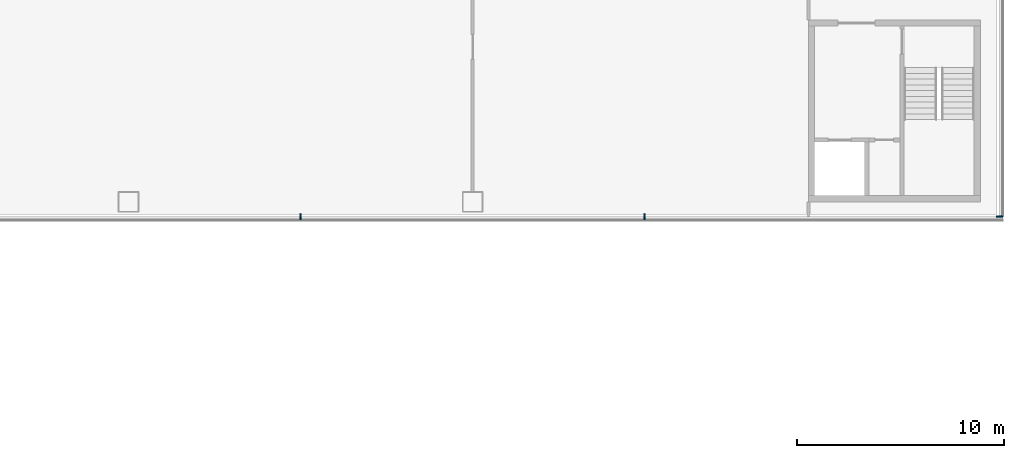
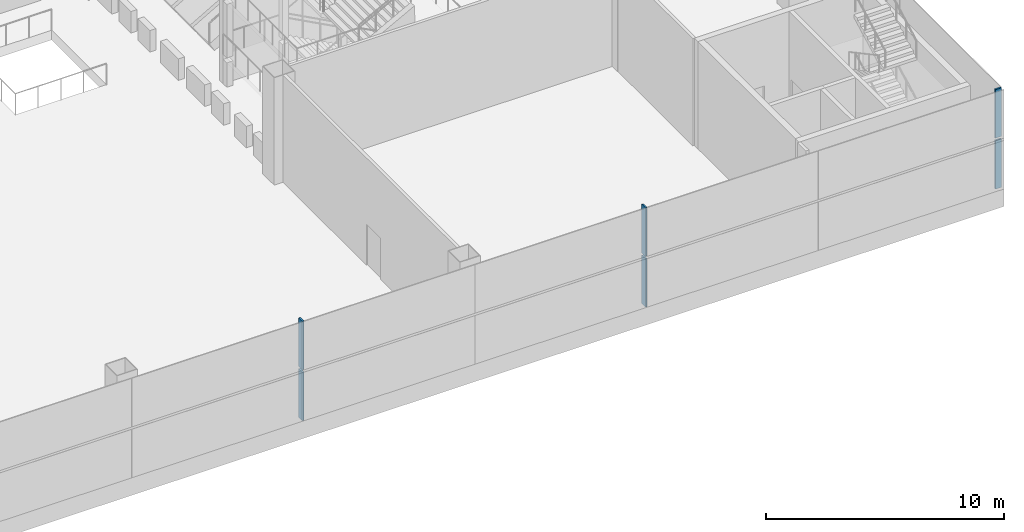
# One storey, part 21 of 100: 6 members, 2 elements without a shape of their own.
"""IFC4 building model written with IfcOpenShell, lengths in metres."""

from ifc_helpers import new_model, si_unit, direction, frame, origin, origin_2d, place, context, subcontext, project, spatial, rectangle, extrude, material, layer, layer_set, material_profile, profile_set, type_object, element, aggregate, save


model = new_model("IFC4")

# Units and contexts
model_context = context("Model", 3, precision=1e-05, world=origin(), true_north=direction((0.0, 1.0)))
body_context = subcontext(model_context, "Body", "Model", "MODEL_VIEW")
ifc_project = project(units=[si_unit("LENGTHUNIT", "METRE"), si_unit("AREAUNIT", "SQUARE_METRE"), si_unit("VOLUMEUNIT", "CUBIC_METRE"), si_unit("PLANEANGLEUNIT", "RADIAN"), si_unit("MASSUNIT", "GRAM", prefix="KILO")], contexts=[model_context])

# Site, building, storey
site_placement = place(None, origin())
site = spatial("IfcSite", under=ifc_project, at=site_placement, CompositionType="ELEMENT")
building_placement = place(site_placement, origin())
building = spatial("IfcBuilding", under=site, at=building_placement, Name="Hakoniwa Tower and Hamabe Station Hall", CompositionType="ELEMENT")
storey_placement = place(building_placement, frame((0.0, 0.0, 9.0)))
storey = spatial("IfcBuildingStorey", under=building, at=storey_placement, Name="L02", CompositionType="ELEMENT", Elevation=9.0)

# Curtain wall, members
ifc_material_1 = material(Name="Dark low-e laminated glass", Category="glass")
ifc_layer = layer(ifc_material_1, 0.199951171875)
ifc_layer_set = layer_set([ifc_layer], Name="CW-7 STATION")
curtain_wall_type = type_object("IfcCurtainWallType", Name="CW-7 STATION", PredefinedType="NOTDEFINED", material=ifc_layer_set)
curtain_wall_1_placement = place(storey_placement, origin())
curtain_wall_1 = element("IfcCurtainWall", 1, at=curtain_wall_1_placement, inside=storey, type_object=curtain_wall_type, Name="Station curtain wall L02 south", PredefinedType="NOTDEFINED")
ifc_material_2 = material(Name="Aluminium 6063-T5 black anodised", Category="aluminium")
ifc_material_profile = material_profile(ifc_material_2, rectangle(XDim=0.080078125, YDim=0.300048828125, at=origin_2d()), Name="CW-3 MULLION 80X300")
ifc_profile_set = profile_set([ifc_material_profile], Name="Aluminium 6063-T5 black anodised")
member_type = type_object("IfcMemberType", Name="CW-3 MULLION 80X300", PredefinedType="MULLION", material=ifc_profile_set)
member_1_placement = place(storey_placement, frame((135.8701171875, -24.1220703125, 0.35009765625), z_axis=(0.0, 0.0, 1.0), x_axis=(1.0, 0.0, 0.0)))
member_1 = element("IfcMember", 2, at=member_1_placement, type_object=member_type, Name="CW-7 mullion", PredefinedType="MULLION", context=body_context, shape_type="SweptSolid", body=[
    extrude(rectangle(XDim=0.080078125, YDim=0.300048828125, at=origin_2d()), origin(), (0.0, 0.0, 1.0), 2.489990234375),
])
member_2_placement = place(storey_placement, frame((135.8701171875, -24.1220703125, 2.9599609375), z_axis=(0.0, 0.0, 1.0), x_axis=(1.0, 0.0, 0.0)))
member_2 = element("IfcMember", 3, at=member_2_placement, type_object=member_type, Name="CW-7 mullion", PredefinedType="MULLION", context=body_context, shape_type="SweptSolid", body=[
    extrude(rectangle(XDim=0.080078125, YDim=0.300048828125, at=origin_2d()), origin(), (0.0, 0.0, 1.0), 2.489990234375),
])
member_3_placement = place(storey_placement, frame((152.510009765625, -24.1220703125, 0.35009765625), z_axis=(0.0, 0.0, 1.0), x_axis=(1.0, 0.0, 0.0)))
member_3 = element("IfcMember", 4, at=member_3_placement, type_object=member_type, Name="CW-7 mullion", PredefinedType="MULLION", context=body_context, shape_type="SweptSolid", body=[
    extrude(rectangle(XDim=0.080078125, YDim=0.300048828125, at=origin_2d()), origin(), (0.0, 0.0, 1.0), 2.489990234375),
])
member_4_placement = place(storey_placement, frame((152.510009765625, -24.1220703125, 2.9599609375), z_axis=(0.0, 0.0, 1.0), x_axis=(1.0, 0.0, 0.0)))
member_4 = element("IfcMember", 5, at=member_4_placement, type_object=member_type, Name="CW-7 mullion", PredefinedType="MULLION", context=body_context, shape_type="SweptSolid", body=[
    extrude(rectangle(XDim=0.080078125, YDim=0.300048828125, at=origin_2d()), origin(), (0.0, 0.0, 1.0), 2.489990234375),
])
aggregate(curtain_wall_1, [member_1, member_2, member_3, member_4])

curtain_wall_2_placement = place(storey_placement, origin())
curtain_wall_2 = element("IfcCurtainWall", 6, at=curtain_wall_2_placement, inside=storey, type_object=curtain_wall_type, Name="Station curtain wall L02 east", PredefinedType="NOTDEFINED")
member_5_placement = place(storey_placement, frame((169.672119140625, -24.10009765625, 0.35009765625), z_axis=(0.0, 0.0, 1.0), x_axis=(0.0, 1.0, 0.0)))
member_5 = element("IfcMember", 7, at=member_5_placement, type_object=member_type, Name="CW-7 mullion", PredefinedType="MULLION", context=body_context, shape_type="SweptSolid", body=[
    extrude(rectangle(XDim=0.080078125, YDim=0.300048828125, at=origin_2d()), origin(), (0.0, 0.0, 1.0), 2.489990234375),
])
member_6_placement = place(storey_placement, frame((169.672119140625, -24.10009765625, 2.9599609375), z_axis=(0.0, 0.0, 1.0), x_axis=(0.0, 1.0, 0.0)))
member_6 = element("IfcMember", 8, at=member_6_placement, type_object=member_type, Name="CW-7 mullion", PredefinedType="MULLION", context=body_context, shape_type="SweptSolid", body=[
    extrude(rectangle(XDim=0.080078125, YDim=0.300048828125, at=origin_2d()), origin(), (0.0, 0.0, 1.0), 2.489990234375),
])
aggregate(curtain_wall_2, [member_5, member_6])

save(model, "model.ifc")
